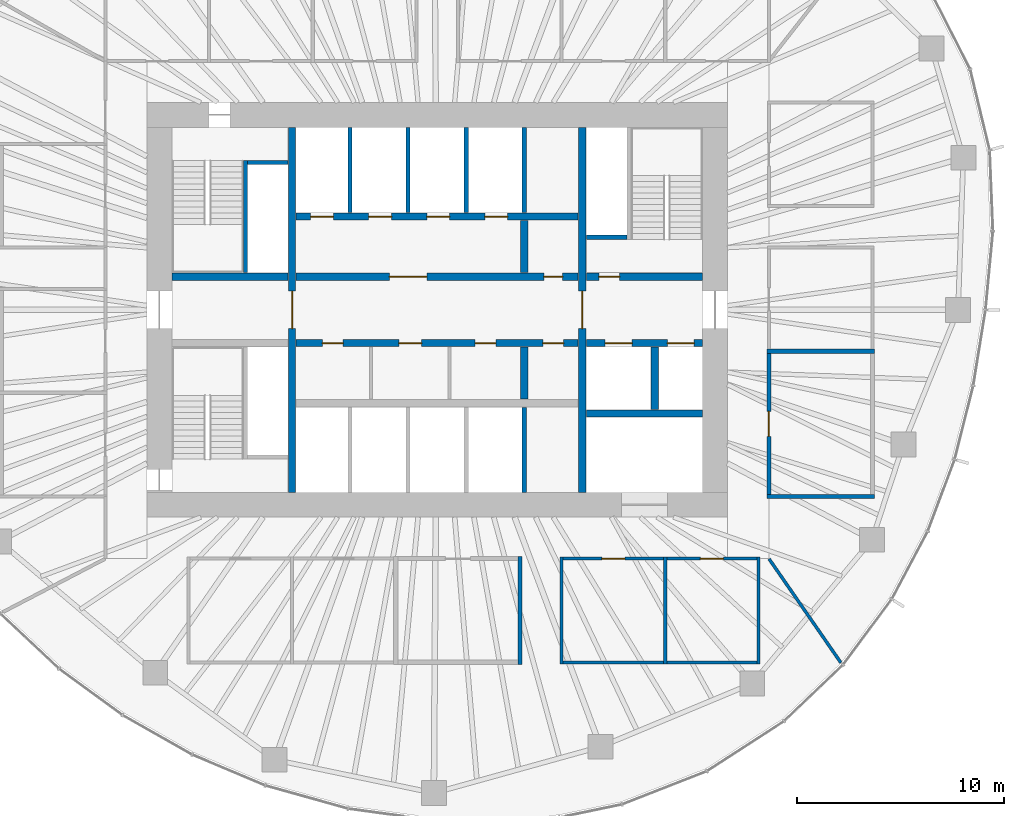
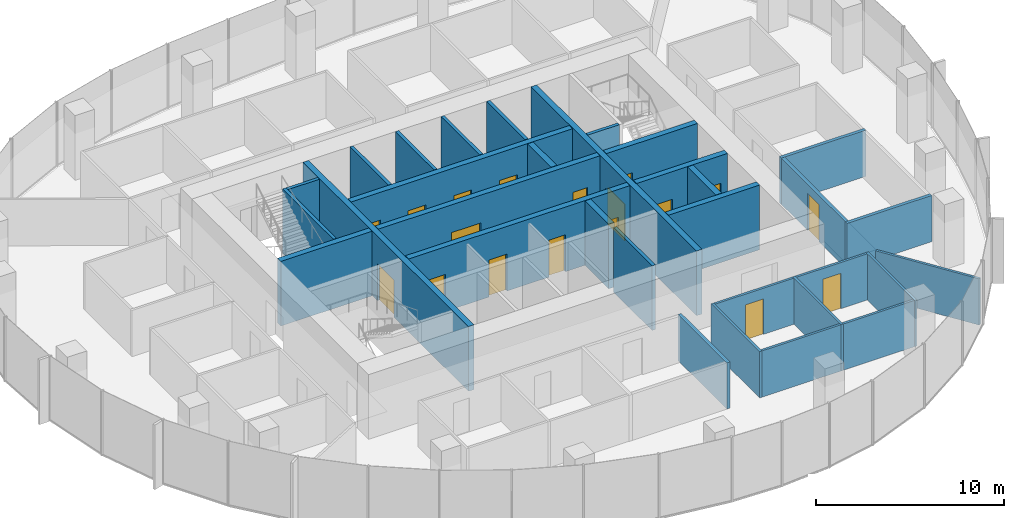
# One storey, part 9 of 12: 32 walls, 18 doors, 18 openings.
"""IFC4 building model written with IfcOpenShell, lengths in metres."""

from ifc_helpers import new_model, si_unit, direction, frame, frame_2d, origin, place, context, subcontext, project, spatial, rectangle, extrude, material, layer, layer_set, type_object, element, fill, save


model = new_model("IFC4")

# Units and contexts
model_context = context("Model", 3, precision=1e-05, world=origin(), true_north=direction((0.0, 1.0)))
body_context = subcontext(model_context, "Body", "Model", "MODEL_VIEW")
ifc_project = project(units=[si_unit("LENGTHUNIT", "METRE"), si_unit("AREAUNIT", "SQUARE_METRE"), si_unit("VOLUMEUNIT", "CUBIC_METRE"), si_unit("PLANEANGLEUNIT", "RADIAN"), si_unit("MASSUNIT", "GRAM", prefix="KILO")], contexts=[model_context])

# Site, building, storey
site_placement = place(None, origin())
site = spatial("IfcSite", under=ifc_project, at=site_placement, CompositionType="ELEMENT")
building_placement = place(site_placement, origin())
building = spatial("IfcBuilding", under=site, at=building_placement, Name="Ghaith Harvest Tower", CompositionType="ELEMENT")
storey_placement = place(building_placement, frame((0.0, 0.0, 253.60009765625)))
storey = spatial("IfcBuildingStorey", under=building, at=storey_placement, Name="L56", CompositionType="ELEMENT", Elevation=253.60009765625)

# Walls
ifc_material_1 = material(Name="Twin-stud gypsum board, acoustic", Category="gypsum")
ifc_layer_1 = layer(ifc_material_1, 0.199951171875)
ifc_layer_set_1 = layer_set([ifc_layer_1], Name="ACOUSTIC PARTITION 200")
wall_type_1 = type_object("IfcWallType", Name="ACOUSTIC PARTITION 200", PredefinedType="PARTITIONING", material=ifc_layer_set_1)
for number, where, z_axis, x_axis, name in (
    (1, (15.89990234375, -9.0, 0.0), (0.0, 0.0, 1.0), (1.0, 0.0, 0.0), "Partition L56 row E3 cross wall 1"),
    (2, (15.89990234375, -2.0, 0.0), (0.0, 0.0, 1.0), (1.0, 0.0, 0.0), "Partition L56 row E3 cross wall 2"),
):
    element("IfcWall", number, at=place(storey_placement, frame(where, z_axis=z_axis, x_axis=x_axis)), inside=storey, type_object=wall_type_1, Name=name, PredefinedType="PARTITIONING", context=body_context, shape_type="SweptSolid", body=[
        extrude(rectangle(XDim=5.2001953125, YDim=0.199951171875, at=frame_2d((2.60009765625, 0.0))), origin(), (0.0, 0.0, 1.0), 3.0),
    ])

# Wall, opening, door
wall_1_placement = place(storey_placement, frame((16.0, -8.89990234375, 0.0), z_axis=(0.0, 0.0, 1.0), x_axis=(0.0, 1.0, 0.0)))
wall_1 = element("IfcWall", 3, at=wall_1_placement, inside=storey, type_object=wall_type_1, Name="Partition L56-07", PredefinedType="PARTITIONING", context=body_context, shape_type="SweptSolid", body=[
    extrude(rectangle(XDim=6.7998046875, YDim=0.199951171875, at=frame_2d((3.39990234375, 0.0))), origin(), (0.0, 0.0, 1.0), 3.0),
])
opening_1_placement = place(wall_1_placement, frame((2.800048828125, 0.0, 0.0)))
opening_1 = element("IfcOpeningElement", 4, at=opening_1_placement, cuts=wall_1, Name="Opening 56-027", PredefinedType="OPENING", context=body_context, shape_type="SweptSolid", body=[
    extrude(rectangle(XDim=1.199951171875, YDim=2.39990234375, at=frame_2d((0.60009765625, 1.199951171875))), frame((0.0, 0.10986328125, 0.0), z_axis=(0.0, -1.0, 0.0), x_axis=(1.0, 0.0, 0.0)), (0.0, 0.0, 1.0), 0.219970703125),
])
ifc_material_2 = material(Name="Timber door", Category="wood")
door_type_1 = type_object("IfcDoorType", Name="D11 GLAZED 1200x2400", OperationType="SINGLE_SWING_LEFT", PredefinedType="DOOR", material=ifc_material_2)
door_1_placement = place(opening_1_placement, origin())
door_1 = element("IfcDoor", 5, at=door_1_placement, inside=storey, type_object=door_type_1, Name="Meeting room door", OperationType="SINGLE_SWING_LEFT", OverallHeight=2.39990234375, OverallWidth=1.199951171875, PredefinedType="DOOR", context=body_context, shape_type="SweptSolid", body=[
    extrude(rectangle(XDim=1.199951171875, YDim=2.39990234375, at=frame_2d((0.60009765625, 1.199951171875))), frame((0.0, 0.02490234375, 0.0), z_axis=(0.0, -1.0, 0.0), x_axis=(1.0, 0.0, 0.0)), (0.0, 0.0, 1.0), 0.050048828125),
])
fill(opening_1, door_1)

# Walls
wall_2_placement = place(storey_placement, frame((4.0, -11.89990234375, 0.0), z_axis=(0.0, 0.0, 1.0), x_axis=(0.0, -1.0, 0.0)))
element("IfcWall", 6, at=wall_2_placement, inside=storey, type_object=wall_type_1, Name="Partition L56 row S4 cross wall 4", PredefinedType="PARTITIONING", context=body_context, shape_type="SweptSolid", body=[
    extrude(rectangle(XDim=5.2001953125, YDim=0.199951171875, at=frame_2d((2.60009765625, 0.0))), origin(), (0.0, 0.0, 1.0), 3.0),
])
ifc_material_3 = material(Name="Concrete blockwork, 2-hour", Category="masonry")
ifc_layer_2 = layer(ifc_material_3, 0.199951171875)
ifc_layer_set_2 = layer_set([ifc_layer_2], Name="LIFT SHAFT WALL 200")
wall_type_2 = type_object("IfcWallType", Name="LIFT SHAFT WALL 200", PredefinedType="PARTITIONING", material=ifc_layer_set_2)
for number, where, z_axis, x_axis, name in (
    (7, (-4.199951171875, 4.699951171875, 0.0), (0.0, 0.0, 1.0), (0.0, 1.0, 0.0), "Lift shaft wall L56"),
    (8, (-1.39990234375, 4.699951171875, 0.0), (0.0, 0.0, 1.0), (0.0, 1.0, 0.0), "Lift shaft wall L56"),
    (9, (1.39990234375, 4.699951171875, 0.0), (0.0, 0.0, 1.0), (0.0, 1.0, 0.0), "Lift shaft wall L56"),
    (10, (4.199951171875, 4.699951171875, 0.0), (0.0, 0.0, 1.0), (0.0, 1.0, 0.0), "Lift shaft wall L56"),
    (11, (4.199951171875, -4.699951171875, 0.0), (0.0, 0.0, 1.0), (0.0, -1.0, 0.0), "Lift shaft wall L56"),
):
    element("IfcWall", number, at=place(storey_placement, frame(where, z_axis=z_axis, x_axis=x_axis)), inside=storey, type_object=wall_type_2, Name=name, PredefinedType="PARTITIONING", context=body_context, shape_type="SweptSolid", body=[
        extrude(rectangle(XDim=4.10009765625, YDim=0.199951171875, at=frame_2d((2.050048828125, 0.0))), origin(), (0.0, 0.0, 1.0), 4.199951171875),
    ])
ifc_material_4 = material(Name="Gypsum board on steel studs", Category="steel")
ifc_layer_3 = layer(ifc_material_4, 0.14990234375)
ifc_layer_set_3 = layer_set([ifc_layer_3], Name="PARTITION 150")
wall_type_3 = type_object("IfcWallType", Name="PARTITION 150", PredefinedType="PARTITIONING", material=ifc_layer_set_3)
for number, where, z_axis, x_axis, name in (
    (12, (6.0, -11.925048828125, 0.0), (0.0, 0.0, 1.0), (0.0, -1.0, 0.0), "Partition L56 row S6 cross wall 1"),
    (13, (11.0, -11.925048828125, 0.0), (0.0, 0.0, 1.0), (0.0, -1.0, 0.0), "Partition L56 row S6 cross wall 2"),
    (14, (15.5, -11.925048828125, 0.0), (0.0, 0.0, 1.0), (0.0, -1.0, 0.0), "Partition L56 row S6 cross wall 3"),
):
    element("IfcWall", number, at=place(storey_placement, frame(where, z_axis=z_axis, x_axis=x_axis)), inside=storey, type_object=wall_type_3, Name=name, PredefinedType="PARTITIONING", context=body_context, shape_type="SweptSolid", body=[
        extrude(rectangle(XDim=5.14990234375, YDim=0.14990234375, at=frame_2d((2.574951171875, 0.0))), origin(), (0.0, 0.0, 1.0), 3.0),
    ])

# Wall, opening, door
wall_3_placement = place(storey_placement, frame((6.074951171875, -12.0, 0.0), z_axis=(0.0, 0.0, 1.0), x_axis=(1.0, 0.0, 0.0)))
wall_3 = element("IfcWall", 15, at=wall_3_placement, inside=storey, type_object=wall_type_3, Name="Partition L56-14", PredefinedType="PARTITIONING", context=body_context, shape_type="SweptSolid", body=[
    extrude(rectangle(XDim=4.85009765625, YDim=0.14990234375, at=frame_2d((2.425048828125, 0.0))), origin(), (0.0, 0.0, 1.0), 3.0),
])
opening_2_placement = place(wall_3_placement, frame((1.875, 0.0, 0.0)))
opening_2 = element("IfcOpeningElement", 16, at=opening_2_placement, cuts=wall_3, Name="Opening 56-034", PredefinedType="OPENING", context=body_context, shape_type="SweptSolid", body=[
    extrude(rectangle(XDim=1.10009765625, YDim=2.300048828125, at=frame_2d((0.550048828125, 1.14990234375))), frame((0.0, 0.0849609375, 0.0), z_axis=(0.0, -1.0, 0.0), x_axis=(1.0, 0.0, 0.0)), (0.0, 0.0, 1.0), 0.169921875),
])
ifc_material_5 = material(Name="Timber-framed glazed door", Category="wood")
door_type_2 = type_object("IfcDoorType", Name="D12 GLAZED OFFICE 1100x2300", OperationType="SINGLE_SWING_LEFT", PredefinedType="DOOR", material=ifc_material_5)
door_2_placement = place(opening_2_placement, origin())
door_2 = element("IfcDoor", 17, at=door_2_placement, inside=storey, type_object=door_type_2, Name="Executive office door", OperationType="SINGLE_SWING_LEFT", OverallHeight=2.300048828125, OverallWidth=1.10009765625, PredefinedType="DOOR", context=body_context, shape_type="SweptSolid", body=[
    extrude(rectangle(XDim=1.10009765625, YDim=2.300048828125, at=frame_2d((0.550048828125, 1.14990234375))), frame((0.0, 0.02490234375, 0.0), z_axis=(0.0, -1.0, 0.0), x_axis=(1.0, 0.0, 0.0)), (0.0, 0.0, 1.0), 0.050048828125),
])
fill(opening_2, door_2)

# Wall
wall_4_placement = place(storey_placement, frame((6.074951171875, -17.0, 0.0), z_axis=(0.0, 0.0, 1.0), x_axis=(1.0, 0.0, 0.0)))
element("IfcWall", 18, at=wall_4_placement, inside=storey, type_object=wall_type_3, Name="Partition L56-14", PredefinedType="PARTITIONING", context=body_context, shape_type="SweptSolid", body=[
    extrude(rectangle(XDim=4.85009765625, YDim=0.14990234375, at=frame_2d((2.425048828125, 0.0))), origin(), (0.0, 0.0, 1.0), 3.0),
])

# Wall, opening, door
wall_5_placement = place(storey_placement, frame((11.074951171875, -12.0, 0.0), z_axis=(0.0, 0.0, 1.0), x_axis=(1.0, 0.0, 0.0)))
wall_5 = element("IfcWall", 19, at=wall_5_placement, inside=storey, type_object=wall_type_3, Name="Partition L56-15", PredefinedType="PARTITIONING", context=body_context, shape_type="SweptSolid", body=[
    extrude(rectangle(XDim=4.35009765625, YDim=0.14990234375, at=frame_2d((2.175048828125, 0.0))), origin(), (0.0, 0.0, 1.0), 3.0),
])
opening_3_placement = place(wall_5_placement, frame((1.625, 0.0, 0.0)))
opening_3 = element("IfcOpeningElement", 20, at=opening_3_placement, cuts=wall_5, Name="Opening 56-035", PredefinedType="OPENING", context=body_context, shape_type="SweptSolid", body=[
    extrude(rectangle(XDim=1.10009765625, YDim=2.300048828125, at=frame_2d((0.550048828125, 1.14990234375))), frame((0.0, 0.0849609375, 0.0), z_axis=(0.0, -1.0, 0.0), x_axis=(1.0, 0.0, 0.0)), (0.0, 0.0, 1.0), 0.169921875),
])
door_3_placement = place(opening_3_placement, origin())
door_3 = element("IfcDoor", 21, at=door_3_placement, inside=storey, type_object=door_type_2, Name="Executive office door", OperationType="SINGLE_SWING_LEFT", OverallHeight=2.300048828125, OverallWidth=1.10009765625, PredefinedType="DOOR", context=body_context, shape_type="SweptSolid", body=[
    extrude(rectangle(XDim=1.10009765625, YDim=2.300048828125, at=frame_2d((0.550048828125, 1.14990234375))), frame((0.0, 0.02490234375, 0.0), z_axis=(0.0, -1.0, 0.0), x_axis=(1.0, 0.0, 0.0)), (0.0, 0.0, 1.0), 0.050048828125),
])
fill(opening_3, door_3)

# Walls
wall_6_placement = place(storey_placement, frame((11.074951171875, -17.0, 0.0), z_axis=(0.0, 0.0, 1.0), x_axis=(1.0, 0.0, 0.0)))
element("IfcWall", 22, at=wall_6_placement, inside=storey, type_object=wall_type_3, Name="Partition L56-15", PredefinedType="PARTITIONING", context=body_context, shape_type="SweptSolid", body=[
    extrude(rectangle(XDim=4.35009765625, YDim=0.14990234375, at=frame_2d((2.175048828125, 0.0))), origin(), (0.0, 0.0, 1.0), 3.0),
])
wall_7_placement = place(storey_placement, frame((16.011474609375, -12.016357421875, 0.0), z_axis=(0.0, 0.0, 1.0), x_axis=(0.568863489071, -0.822431961199, 0.0)))
element("IfcWall", 23, at=wall_7_placement, inside=storey, type_object=wall_type_3, Name="Partition L56 zone division", PredefinedType="PARTITIONING", context=body_context, shape_type="SweptSolid", body=[
    extrude(rectangle(XDim=6.0830078125, YDim=0.14990234375, at=frame_2d((3.04150390625, 0.0))), origin(), (0.0, 0.0, 1.0), 3.0),
])

# Wall, opening, door
ifc_material_6 = material(Name="Concrete C60/75", Category="concrete")
ifc_layer_4 = layer(ifc_material_6, 0.35009765625)
ifc_layer_set_4 = layer_set([ifc_layer_4], Name="SHAFT WALL 350")
wall_type_4 = type_object("IfcWallType", Name="SHAFT WALL 350", PredefinedType="SHEAR", material=ifc_layer_set_4)
wall_8_placement = place(storey_placement, frame((-7.0, -8.800048828125, 0.0), z_axis=(0.0, 0.0, 1.0), x_axis=(0.0, 1.0, 0.0)))
wall_8 = element("IfcWall", 24, at=wall_8_placement, inside=storey, type_object=wall_type_4, Name="Shaft wall W7W L56", PredefinedType="SHEAR", context=body_context, shape_type="SweptSolid", body=[
    extrude(rectangle(XDim=17.60009765625, YDim=0.35009765625, at=frame_2d((8.800048828125, 0.0))), origin(), (0.0, 0.0, 1.0), 4.199951171875),
])
opening_4_placement = place(wall_8_placement, frame((7.89990234375, 0.0, 0.0)))
opening_4 = element("IfcOpeningElement", 25, at=opening_4_placement, cuts=wall_8, Name="Opening 56-003", PredefinedType="OPENING", context=body_context, shape_type="SweptSolid", body=[
    extrude(rectangle(XDim=1.800048828125, YDim=2.39990234375, at=frame_2d((0.89990234375, 1.199951171875))), frame((0.0, 0.18505859375, 0.0), z_axis=(0.0, -1.0, 0.0), x_axis=(1.0, 0.0, 0.0)), (0.0, 0.0, 1.0), 0.3701171875),
])
ifc_material_7 = material(Name="Steel fire door", Category="steel")
door_type_3 = type_object("IfcDoorType", Name="D4 FD90 PAIR 1800x2400", OperationType="DOUBLE_DOOR_SINGLE_SWING", PredefinedType="DOOR", material=ifc_material_7)
door_4_placement = place(opening_4_placement, origin())
door_4 = element("IfcDoor", 26, at=door_4_placement, inside=storey, type_object=door_type_3, Name="Lift lobby doors, west", OperationType="DOUBLE_DOOR_SINGLE_SWING", OverallHeight=2.39990234375, OverallWidth=1.800048828125, PredefinedType="DOOR", context=body_context, shape_type="SweptSolid", body=[
    extrude(rectangle(XDim=1.800048828125, YDim=2.39990234375, at=frame_2d((0.89990234375, 1.199951171875))), frame((0.0, 0.02490234375, 0.0), z_axis=(0.0, -1.0, 0.0), x_axis=(1.0, 0.0, 0.0)), (0.0, 0.0, 1.0), 0.050048828125),
])
fill(opening_4, door_4)

wall_9_placement = place(storey_placement, frame((7.0, -8.800048828125, 0.0), z_axis=(0.0, 0.0, 1.0), x_axis=(0.0, 1.0, 0.0)))
wall_9 = element("IfcWall", 27, at=wall_9_placement, inside=storey, type_object=wall_type_4, Name="Shaft wall W7E L56", PredefinedType="SHEAR", context=body_context, shape_type="SweptSolid", body=[
    extrude(rectangle(XDim=17.60009765625, YDim=0.35009765625, at=frame_2d((8.800048828125, 0.0))), origin(), (0.0, 0.0, 1.0), 4.199951171875),
])
opening_5_placement = place(wall_9_placement, frame((7.89990234375, 0.0, 0.0)))
opening_5 = element("IfcOpeningElement", 28, at=opening_5_placement, cuts=wall_9, Name="Opening 56-004", PredefinedType="OPENING", context=body_context, shape_type="SweptSolid", body=[
    extrude(rectangle(XDim=1.800048828125, YDim=2.39990234375, at=frame_2d((0.89990234375, 1.199951171875))), frame((0.0, 0.18505859375, 0.0), z_axis=(0.0, -1.0, 0.0), x_axis=(1.0, 0.0, 0.0)), (0.0, 0.0, 1.0), 0.3701171875),
])
door_5_placement = place(opening_5_placement, origin())
door_5 = element("IfcDoor", 29, at=door_5_placement, inside=storey, type_object=door_type_3, Name="Lift lobby doors, east", OperationType="DOUBLE_DOOR_SINGLE_SWING", OverallHeight=2.39990234375, OverallWidth=1.800048828125, PredefinedType="DOOR", context=body_context, shape_type="SweptSolid", body=[
    extrude(rectangle(XDim=1.800048828125, YDim=2.39990234375, at=frame_2d((0.89990234375, 1.199951171875))), frame((0.0, 0.02490234375, 0.0), z_axis=(0.0, -1.0, 0.0), x_axis=(1.0, 0.0, 0.0)), (0.0, 0.0, 1.0), 0.050048828125),
])
fill(opening_5, door_5)

# Wall, openings, doors
wall_10_placement = place(storey_placement, frame((-6.800048828125, 1.60009765625, 0.0), z_axis=(0.0, 0.0, 1.0), x_axis=(1.0, 0.0, 0.0)))
wall_10 = element("IfcWall", 30, at=wall_10_placement, inside=storey, type_object=wall_type_4, Name="Shaft wall LN L56", PredefinedType="SHEAR", context=body_context, shape_type="SweptSolid", body=[
    extrude(rectangle(XDim=13.60009765625, YDim=0.35009765625, at=frame_2d((6.800048828125, 0.0))), origin(), (0.0, 0.0, 1.0), 4.199951171875),
])
opening_6_placement = place(wall_10_placement, frame((11.949951171875, 0.0, 0.0)))
opening_6 = element("IfcOpeningElement", 31, at=opening_6_placement, cuts=wall_10, Name="Opening 56-011", PredefinedType="OPENING", context=body_context, shape_type="SweptSolid", body=[
    extrude(rectangle(XDim=0.89990234375, YDim=2.39990234375, at=frame_2d((0.449951171875, 1.199951171875))), frame((0.0, 0.18505859375, 0.0), z_axis=(0.0, -1.0, 0.0), x_axis=(1.0, 0.0, 0.0)), (0.0, 0.0, 1.0), 0.3701171875),
])
opening_7_placement = place(wall_10_placement, frame((4.5, 0.0, 0.0)))
opening_7 = element("IfcOpeningElement", 32, at=opening_7_placement, cuts=wall_10, Name="Opening 56-013", PredefinedType="OPENING", context=body_context, shape_type="SweptSolid", body=[
    extrude(rectangle(XDim=1.800048828125, YDim=2.39990234375, at=frame_2d((0.89990234375, 1.199951171875))), frame((0.0, 0.18505859375, 0.0), z_axis=(0.0, -1.0, 0.0), x_axis=(1.0, 0.0, 0.0)), (0.0, 0.0, 1.0), 0.3701171875),
])
door_6_placement = place(opening_7_placement, origin())
door_6 = element("IfcDoor", 33, at=door_6_placement, inside=storey, type_object=door_type_3, Name="Lift lobby doors, high-rise bank", OperationType="DOUBLE_DOOR_SINGLE_SWING", OverallHeight=2.39990234375, OverallWidth=1.800048828125, PredefinedType="DOOR", context=body_context, shape_type="SweptSolid", body=[
    extrude(rectangle(XDim=1.800048828125, YDim=2.39990234375, at=frame_2d((0.89990234375, 1.199951171875))), frame((0.0, 0.02490234375, 0.0), z_axis=(0.0, -1.0, 0.0), x_axis=(1.0, 0.0, 0.0)), (0.0, 0.0, 1.0), 0.050048828125),
])
fill(opening_7, door_6)
ifc_material_8 = material(Name="Steel fire door", Category="steel")
door_type_4 = type_object("IfcDoorType", Name="D5 FD90 900x2400", OperationType="SINGLE_SWING_LEFT", PredefinedType="DOOR", material=ifc_material_8)
door_7_placement = place(opening_6_placement, origin())
door_7 = element("IfcDoor", 34, at=door_7_placement, inside=storey, type_object=door_type_4, Name="Cleaner's store door", OperationType="SINGLE_SWING_RIGHT", OverallHeight=2.39990234375, OverallWidth=0.89990234375, PredefinedType="DOOR", context=body_context, shape_type="SweptSolid", body=[
    extrude(rectangle(XDim=0.89990234375, YDim=2.39990234375, at=frame_2d((0.449951171875, 1.199951171875))), frame((0.0, 0.02490234375, 0.0), z_axis=(0.0, -1.0, 0.0), x_axis=(1.0, 0.0, 0.0)), (0.0, 0.0, 1.0), 0.050048828125),
])
fill(opening_6, door_7)

wall_11_placement = place(storey_placement, frame((-6.800048828125, -1.60009765625, 0.0), z_axis=(0.0, 0.0, 1.0), x_axis=(1.0, 0.0, 0.0)))
wall_11 = element("IfcWall", 35, at=wall_11_placement, inside=storey, type_object=wall_type_4, Name="Shaft wall LS L56", PredefinedType="SHEAR", context=body_context, shape_type="SweptSolid", body=[
    extrude(rectangle(XDim=13.60009765625, YDim=0.35009765625, at=frame_2d((6.800048828125, 0.0))), origin(), (0.0, 0.0, 1.0), 4.199951171875),
])
opening_8_placement = place(wall_11_placement, frame((1.264892578125, 0.0, 0.0)))
opening_8 = element("IfcOpeningElement", 36, at=opening_8_placement, cuts=wall_11, Name="Opening 56-008", PredefinedType="OPENING", context=body_context, shape_type="SweptSolid", body=[
    extrude(rectangle(XDim=1.0, YDim=2.39990234375, at=frame_2d((0.5, 1.199951171875))), frame((0.0, 0.18505859375, 0.0), z_axis=(0.0, -1.0, 0.0), x_axis=(1.0, 0.0, 0.0)), (0.0, 0.0, 1.0), 0.3701171875),
])
opening_9_placement = place(wall_11_placement, frame((4.949951171875, 0.0, 0.0)))
opening_9 = element("IfcOpeningElement", 37, at=opening_9_placement, cuts=wall_11, Name="Opening 56-009", PredefinedType="OPENING", context=body_context, shape_type="SweptSolid", body=[
    extrude(rectangle(XDim=1.10009765625, YDim=2.39990234375, at=frame_2d((0.550048828125, 1.199951171875))), frame((0.0, 0.18505859375, 0.0), z_axis=(0.0, -1.0, 0.0), x_axis=(1.0, 0.0, 0.0)), (0.0, 0.0, 1.0), 0.3701171875),
])
opening_10_placement = place(wall_11_placement, frame((8.635009765625, 0.0, 0.0)))
opening_10 = element("IfcOpeningElement", 38, at=opening_10_placement, cuts=wall_11, Name="Opening 56-010", PredefinedType="OPENING", context=body_context, shape_type="SweptSolid", body=[
    extrude(rectangle(XDim=1.0, YDim=2.39990234375, at=frame_2d((0.5, 1.199951171875))), frame((0.0, 0.18505859375, 0.0), z_axis=(0.0, -1.0, 0.0), x_axis=(1.0, 0.0, 0.0)), (0.0, 0.0, 1.0), 0.3701171875),
])
opening_11_placement = place(wall_11_placement, frame((11.89990234375, 0.0, 0.0)))
opening_11 = element("IfcOpeningElement", 39, at=opening_11_placement, cuts=wall_11, Name="Opening 56-012", PredefinedType="OPENING", context=body_context, shape_type="SweptSolid", body=[
    extrude(rectangle(XDim=1.0, YDim=2.39990234375, at=frame_2d((0.5, 1.199951171875))), frame((0.0, 0.18505859375, 0.0), z_axis=(0.0, -1.0, 0.0), x_axis=(1.0, 0.0, 0.0)), (0.0, 0.0, 1.0), 0.3701171875),
])
ifc_material_9 = material(Name="Steel fire door", Category="steel")
door_type_5 = type_object("IfcDoorType", Name="D3 FD90 1000x2400", OperationType="SINGLE_SWING_LEFT", PredefinedType="DOOR", material=ifc_material_9)
door_8_placement = place(opening_8_placement, origin())
door_8 = element("IfcDoor", 40, at=door_8_placement, inside=storey, type_object=door_type_5, Name="Male WC door", OperationType="SINGLE_SWING_LEFT", OverallHeight=2.39990234375, OverallWidth=1.0, PredefinedType="DOOR", context=body_context, shape_type="SweptSolid", body=[
    extrude(rectangle(XDim=1.0, YDim=2.39990234375, at=frame_2d((0.5, 1.199951171875))), frame((0.0, 0.02490234375, 0.0), z_axis=(0.0, -1.0, 0.0), x_axis=(1.0, 0.0, 0.0)), (0.0, 0.0, 1.0), 0.050048828125),
])
fill(opening_8, door_8)
door_9_placement = place(opening_10_placement, origin())
door_9 = element("IfcDoor", 41, at=door_9_placement, inside=storey, type_object=door_type_5, Name="Female WC door", OperationType="SINGLE_SWING_RIGHT", OverallHeight=2.39990234375, OverallWidth=1.0, PredefinedType="DOOR", context=body_context, shape_type="SweptSolid", body=[
    extrude(rectangle(XDim=1.0, YDim=2.39990234375, at=frame_2d((0.5, 1.199951171875))), frame((0.0, 0.02490234375, 0.0), z_axis=(0.0, -1.0, 0.0), x_axis=(1.0, 0.0, 0.0)), (0.0, 0.0, 1.0), 0.050048828125),
])
fill(opening_10, door_9)
door_10_placement = place(opening_11_placement, origin())
door_10 = element("IfcDoor", 42, at=door_10_placement, inside=storey, type_object=door_type_5, Name="Electrical room door", OperationType="SINGLE_SWING_RIGHT", OverallHeight=2.39990234375, OverallWidth=1.0, PredefinedType="DOOR", context=body_context, shape_type="SweptSolid", body=[
    extrude(rectangle(XDim=1.0, YDim=2.39990234375, at=frame_2d((0.5, 1.199951171875))), frame((0.0, 0.02490234375, 0.0), z_axis=(0.0, -1.0, 0.0), x_axis=(1.0, 0.0, 0.0)), (0.0, 0.0, 1.0), 0.050048828125),
])
fill(opening_11, door_10)
ifc_material_10 = material(Name="Steel fire door", Category="steel")
door_type_6 = type_object("IfcDoorType", Name="D9 FD90 1100x2400", OperationType="SINGLE_SWING_LEFT", PredefinedType="DOOR", material=ifc_material_10)
door_11_placement = place(opening_9_placement, origin())
door_11 = element("IfcDoor", 43, at=door_11_placement, inside=storey, type_object=door_type_6, Name="Accessible WC door", OperationType="SINGLE_SWING_LEFT", OverallHeight=2.39990234375, OverallWidth=1.10009765625, PredefinedType="DOOR", context=body_context, shape_type="SweptSolid", body=[
    extrude(rectangle(XDim=1.10009765625, YDim=2.39990234375, at=frame_2d((0.550048828125, 1.199951171875))), frame((0.0, 0.02490234375, 0.0), z_axis=(0.0, -1.0, 0.0), x_axis=(1.0, 0.0, 0.0)), (0.0, 0.0, 1.0), 0.050048828125),
])
fill(opening_9, door_11)

wall_12_placement = place(storey_placement, frame((-6.800048828125, 4.5, 0.0), z_axis=(0.0, 0.0, 1.0), x_axis=(1.0, 0.0, 0.0)))
wall_12 = element("IfcWall", 44, at=wall_12_placement, inside=storey, type_object=wall_type_4, Name="Shaft wall BN L56", PredefinedType="SHEAR", context=body_context, shape_type="SweptSolid", body=[
    extrude(rectangle(XDim=13.60009765625, YDim=0.35009765625, at=frame_2d((6.800048828125, 0.0))), origin(), (0.0, 0.0, 1.0), 4.199951171875),
])
opening_12_placement = place(wall_12_placement, frame((0.699951171875, 0.0, 0.0)))
opening_12 = element("IfcOpeningElement", 45, at=opening_12_placement, cuts=wall_12, Name="Opening 56-014", PredefinedType="OPENING", context=body_context, shape_type="SweptSolid", body=[
    extrude(rectangle(XDim=1.10009765625, YDim=2.39990234375, at=frame_2d((0.550048828125, 1.199951171875))), frame((0.0, 0.18505859375, 0.0), z_axis=(0.0, -1.0, 0.0), x_axis=(1.0, 0.0, 0.0)), (0.0, 0.0, 1.0), 0.3701171875),
])
opening_13_placement = place(wall_12_placement, frame((3.5, 0.0, 0.0)))
opening_13 = element("IfcOpeningElement", 46, at=opening_13_placement, cuts=wall_12, Name="Opening 56-015", PredefinedType="OPENING", context=body_context, shape_type="SweptSolid", body=[
    extrude(rectangle(XDim=1.10009765625, YDim=2.39990234375, at=frame_2d((0.550048828125, 1.199951171875))), frame((0.0, 0.18505859375, 0.0), z_axis=(0.0, -1.0, 0.0), x_axis=(1.0, 0.0, 0.0)), (0.0, 0.0, 1.0), 0.3701171875),
])
opening_14_placement = place(wall_12_placement, frame((6.300048828125, 0.0, 0.0)))
opening_14 = element("IfcOpeningElement", 47, at=opening_14_placement, cuts=wall_12, Name="Opening 56-016", PredefinedType="OPENING", context=body_context, shape_type="SweptSolid", body=[
    extrude(rectangle(XDim=1.10009765625, YDim=2.39990234375, at=frame_2d((0.550048828125, 1.199951171875))), frame((0.0, 0.18505859375, 0.0), z_axis=(0.0, -1.0, 0.0), x_axis=(1.0, 0.0, 0.0)), (0.0, 0.0, 1.0), 0.3701171875),
])
opening_15_placement = place(wall_12_placement, frame((9.10009765625, 0.0, 0.0)))
opening_15 = element("IfcOpeningElement", 48, at=opening_15_placement, cuts=wall_12, Name="Opening 56-017", PredefinedType="OPENING", context=body_context, shape_type="SweptSolid", body=[
    extrude(rectangle(XDim=1.10009765625, YDim=2.39990234375, at=frame_2d((0.550048828125, 1.199951171875))), frame((0.0, 0.18505859375, 0.0), z_axis=(0.0, -1.0, 0.0), x_axis=(1.0, 0.0, 0.0)), (0.0, 0.0, 1.0), 0.3701171875),
])
ifc_material_11 = material(Name="Steel fire door", Category="steel")
door_type_7 = type_object("IfcDoorType", Name="LD1 LANDING 1100x2400", OperationType="DOUBLE_DOOR_SLIDING", PredefinedType="DOOR", material=ifc_material_11)
door_12_placement = place(opening_12_placement, origin())
door_12 = element("IfcDoor", 49, at=door_12_placement, inside=storey, type_object=door_type_7, Name="Landing door, lift HR1", OperationType="DOUBLE_DOOR_SLIDING", OverallHeight=2.39990234375, OverallWidth=1.10009765625, PredefinedType="DOOR", context=body_context, shape_type="SweptSolid", body=[
    extrude(rectangle(XDim=1.10009765625, YDim=2.39990234375, at=frame_2d((0.550048828125, 1.199951171875))), frame((0.0, 0.02490234375, 0.0), z_axis=(0.0, -1.0, 0.0), x_axis=(1.0, 0.0, 0.0)), (0.0, 0.0, 1.0), 0.050048828125),
])
fill(opening_12, door_12)
door_13_placement = place(opening_13_placement, origin())
door_13 = element("IfcDoor", 50, at=door_13_placement, inside=storey, type_object=door_type_7, Name="Landing door, lift HR2", OperationType="DOUBLE_DOOR_SLIDING", OverallHeight=2.39990234375, OverallWidth=1.10009765625, PredefinedType="DOOR", context=body_context, shape_type="SweptSolid", body=[
    extrude(rectangle(XDim=1.10009765625, YDim=2.39990234375, at=frame_2d((0.550048828125, 1.199951171875))), frame((0.0, 0.02490234375, 0.0), z_axis=(0.0, -1.0, 0.0), x_axis=(1.0, 0.0, 0.0)), (0.0, 0.0, 1.0), 0.050048828125),
])
fill(opening_13, door_13)
door_14_placement = place(opening_14_placement, origin())
door_14 = element("IfcDoor", 51, at=door_14_placement, inside=storey, type_object=door_type_7, Name="Landing door, lift HR3", OperationType="DOUBLE_DOOR_SLIDING", OverallHeight=2.39990234375, OverallWidth=1.10009765625, PredefinedType="DOOR", context=body_context, shape_type="SweptSolid", body=[
    extrude(rectangle(XDim=1.10009765625, YDim=2.39990234375, at=frame_2d((0.550048828125, 1.199951171875))), frame((0.0, 0.02490234375, 0.0), z_axis=(0.0, -1.0, 0.0), x_axis=(1.0, 0.0, 0.0)), (0.0, 0.0, 1.0), 0.050048828125),
])
fill(opening_14, door_14)
door_15_placement = place(opening_15_placement, origin())
door_15 = element("IfcDoor", 52, at=door_15_placement, inside=storey, type_object=door_type_7, Name="Landing door, lift HR4", OperationType="DOUBLE_DOOR_SLIDING", OverallHeight=2.39990234375, OverallWidth=1.10009765625, PredefinedType="DOOR", context=body_context, shape_type="SweptSolid", body=[
    extrude(rectangle(XDim=1.10009765625, YDim=2.39990234375, at=frame_2d((0.550048828125, 1.199951171875))), frame((0.0, 0.02490234375, 0.0), z_axis=(0.0, -1.0, 0.0), x_axis=(1.0, 0.0, 0.0)), (0.0, 0.0, 1.0), 0.050048828125),
])
fill(opening_15, door_15)

# Wall
wall_13_placement = place(storey_placement, frame((-12.800048828125, 1.60009765625, 0.0), z_axis=(0.0, 0.0, 1.0), x_axis=(1.0, 0.0, 0.0)))
element("IfcWall", 53, at=wall_13_placement, inside=storey, type_object=wall_type_4, Name="Shaft wall WN L56", PredefinedType="SHEAR", context=body_context, shape_type="SweptSolid", body=[
    extrude(rectangle(XDim=5.60009765625, YDim=0.35009765625, at=frame_2d((2.800048828125, 0.0))), origin(), (0.0, 0.0, 1.0), 4.199951171875),
])

# Wall, opening, door
wall_14_placement = place(storey_placement, frame((7.199951171875, 1.60009765625, 0.0), z_axis=(0.0, 0.0, 1.0), x_axis=(1.0, 0.0, 0.0)))
wall_14 = element("IfcWall", 54, at=wall_14_placement, inside=storey, type_object=wall_type_4, Name="Shaft wall EN L56", PredefinedType="SHEAR", context=body_context, shape_type="SweptSolid", body=[
    extrude(rectangle(XDim=5.60009765625, YDim=0.35009765625, at=frame_2d((2.800048828125, 0.0))), origin(), (0.0, 0.0, 1.0), 4.199951171875),
])
opening_16_placement = place(wall_14_placement, frame((0.60009765625, 0.0, 0.0)))
opening_16 = element("IfcOpeningElement", 55, at=opening_16_placement, cuts=wall_14, Name="Opening 56-007", PredefinedType="OPENING", context=body_context, shape_type="SweptSolid", body=[
    extrude(rectangle(XDim=1.0, YDim=2.39990234375, at=frame_2d((0.5, 1.199951171875))), frame((0.0, 0.18505859375, 0.0), z_axis=(0.0, -1.0, 0.0), x_axis=(1.0, 0.0, 0.0)), (0.0, 0.0, 1.0), 0.3701171875),
])
door_16_placement = place(opening_16_placement, origin())
door_16 = element("IfcDoor", 56, at=door_16_placement, inside=storey, type_object=door_type_5, Name="Stair ST2 door", OperationType="SINGLE_SWING_LEFT", OverallHeight=2.39990234375, OverallWidth=1.0, PredefinedType="DOOR", context=body_context, shape_type="SweptSolid", body=[
    extrude(rectangle(XDim=1.0, YDim=2.39990234375, at=frame_2d((0.5, 1.199951171875))), frame((0.0, 0.02490234375, 0.0), z_axis=(0.0, -1.0, 0.0), x_axis=(1.0, 0.0, 0.0)), (0.0, 0.0, 1.0), 0.050048828125),
])
fill(opening_16, door_16)

# Wall, openings, doors
wall_15_placement = place(storey_placement, frame((7.199951171875, -1.60009765625, 0.0), z_axis=(0.0, 0.0, 1.0), x_axis=(1.0, 0.0, 0.0)))
wall_15 = element("IfcWall", 57, at=wall_15_placement, inside=storey, type_object=wall_type_4, Name="Shaft wall ES L56", PredefinedType="SHEAR", context=body_context, shape_type="SweptSolid", body=[
    extrude(rectangle(XDim=5.60009765625, YDim=0.35009765625, at=frame_2d((2.800048828125, 0.0))), origin(), (0.0, 0.0, 1.0), 4.199951171875),
])
opening_17_placement = place(wall_15_placement, frame((0.89990234375, 0.0, 0.0)))
opening_17 = element("IfcOpeningElement", 58, at=opening_17_placement, cuts=wall_15, Name="Opening 56-018", PredefinedType="OPENING", context=body_context, shape_type="SweptSolid", body=[
    extrude(rectangle(XDim=1.300048828125, YDim=2.39990234375, at=frame_2d((0.64990234375, 1.199951171875))), frame((0.0, 0.18505859375, 0.0), z_axis=(0.0, -1.0, 0.0), x_axis=(1.0, 0.0, 0.0)), (0.0, 0.0, 1.0), 0.3701171875),
])
opening_18_placement = place(wall_15_placement, frame((3.89990234375, 0.0, 0.0)))
opening_18 = element("IfcOpeningElement", 59, at=opening_18_placement, cuts=wall_15, Name="Opening 56-019", PredefinedType="OPENING", context=body_context, shape_type="SweptSolid", body=[
    extrude(rectangle(XDim=1.300048828125, YDim=2.39990234375, at=frame_2d((0.64990234375, 1.199951171875))), frame((0.0, 0.18505859375, 0.0), z_axis=(0.0, -1.0, 0.0), x_axis=(1.0, 0.0, 0.0)), (0.0, 0.0, 1.0), 0.3701171875),
])
ifc_material_12 = material(Name="Steel fire door", Category="steel")
door_type_8 = type_object("IfcDoorType", Name="LD2 LANDING 1300x2400", OperationType="DOUBLE_DOOR_SLIDING", PredefinedType="DOOR", material=ifc_material_12)
door_17_placement = place(opening_17_placement, origin())
door_17 = element("IfcDoor", 60, at=door_17_placement, inside=storey, type_object=door_type_8, Name="Landing door, fire service lift FL1", OperationType="DOUBLE_DOOR_SLIDING", OverallHeight=2.39990234375, OverallWidth=1.300048828125, PredefinedType="DOOR", context=body_context, shape_type="SweptSolid", body=[
    extrude(rectangle(XDim=1.300048828125, YDim=2.39990234375, at=frame_2d((0.64990234375, 1.199951171875))), frame((0.0, 0.02490234375, 0.0), z_axis=(0.0, -1.0, 0.0), x_axis=(1.0, 0.0, 0.0)), (0.0, 0.0, 1.0), 0.050048828125),
])
fill(opening_17, door_17)
door_18_placement = place(opening_18_placement, origin())
door_18 = element("IfcDoor", 61, at=door_18_placement, inside=storey, type_object=door_type_8, Name="Landing door, fire service lift FL2", OperationType="DOUBLE_DOOR_SLIDING", OverallHeight=2.39990234375, OverallWidth=1.300048828125, PredefinedType="DOOR", context=body_context, shape_type="SweptSolid", body=[
    extrude(rectangle(XDim=1.300048828125, YDim=2.39990234375, at=frame_2d((0.64990234375, 1.199951171875))), frame((0.0, 0.02490234375, 0.0), z_axis=(0.0, -1.0, 0.0), x_axis=(1.0, 0.0, 0.0)), (0.0, 0.0, 1.0), 0.050048828125),
])
fill(opening_18, door_18)

# Walls
wall_16_placement = place(storey_placement, frame((10.5, -4.800048828125, 0.0), z_axis=(0.0, 0.0, 1.0), x_axis=(0.0, 1.0, 0.0)))
element("IfcWall", 62, at=wall_16_placement, inside=storey, type_object=wall_type_4, Name="Shaft wall FLD L56", PredefinedType="SHEAR", context=body_context, shape_type="SweptSolid", body=[
    extrude(rectangle(XDim=3.0, YDim=0.35009765625, at=frame_2d((1.5, 0.0))), origin(), (0.0, 0.0, 1.0), 4.199951171875),
])
wall_17_placement = place(storey_placement, frame((7.199951171875, -5.0, 0.0), z_axis=(0.0, 0.0, 1.0), x_axis=(1.0, 0.0, 0.0)))
element("IfcWall", 63, at=wall_17_placement, inside=storey, type_object=wall_type_4, Name="Shaft wall FLB L56", PredefinedType="SHEAR", context=body_context, shape_type="SweptSolid", body=[
    extrude(rectangle(XDim=5.60009765625, YDim=0.35009765625, at=frame_2d((2.800048828125, 0.0))), origin(), (0.0, 0.0, 1.0), 4.199951171875),
])
for number, where, z_axis, x_axis, name in (
    (64, (4.199951171875, 1.800048828125, 0.0), (0.0, 0.0, 1.0), (0.0, 1.0, 0.0), "Shaft wall DN4 L56"),
    (65, (4.199951171875, -4.300048828125, 0.0), (0.0, 0.0, 1.0), (0.0, 1.0, 0.0), "Shaft wall DS4 L56"),
):
    element("IfcWall", number, at=place(storey_placement, frame(where, z_axis=z_axis, x_axis=x_axis)), inside=storey, type_object=wall_type_4, Name=name, PredefinedType="SHEAR", context=body_context, shape_type="SweptSolid", body=[
        extrude(rectangle(XDim=2.5, YDim=0.35009765625, at=frame_2d((1.25, 0.0))), origin(), (0.0, 0.0, 1.0), 4.199951171875),
    ])
ifc_material_13 = material(Name="Concrete C40/50", Category="concrete")
ifc_layer_5 = layer(ifc_material_13, 0.199951171875)
ifc_layer_set_5 = layer_set([ifc_layer_5], Name="STAIR SPINE WALL RC200")
wall_type_5 = type_object("IfcWallType", Name="STAIR SPINE WALL RC200", PredefinedType="SOLIDWALL", material=ifc_layer_set_5)
wall_18_placement = place(storey_placement, frame((-9.25, 7.199951171875, 0.0), z_axis=(0.0, 0.0, 1.0), x_axis=(0.0, -1.0, 0.0)))
element("IfcWall", 66, at=wall_18_placement, inside=storey, type_object=wall_type_5, Name="Stair ST1 spine wall L56", PredefinedType="SOLIDWALL", context=body_context, shape_type="SweptSolid", body=[
    extrude(rectangle(XDim=5.39990234375, YDim=0.199951171875, at=frame_2d((2.699951171875, 0.0))), origin(), (0.0, 0.0, 1.0), 4.199951171875),
])
for number, where, z_axis, x_axis, name in (
    (67, (-9.14990234375, 7.10009765625, 0.0), (0.0, 0.0, 1.0), (1.0, 0.0, 0.0), "Stair ST1 spine wall return L56"),
    (68, (9.14990234375, 3.5, 0.0), (0.0, 0.0, 1.0), (-1.0, 0.0, 0.0), "Stair ST2 spine wall return L56"),
):
    element("IfcWall", number, at=place(storey_placement, frame(where, z_axis=z_axis, x_axis=x_axis)), inside=storey, type_object=wall_type_5, Name=name, PredefinedType="SOLIDWALL", context=body_context, shape_type="SweptSolid", body=[
        extrude(rectangle(XDim=1.949951171875, YDim=0.199951171875, at=frame_2d((0.97509765625, 0.0))), origin(), (0.0, 0.0, 1.0), 4.199951171875),
    ])

save(model, "model.ifc")
